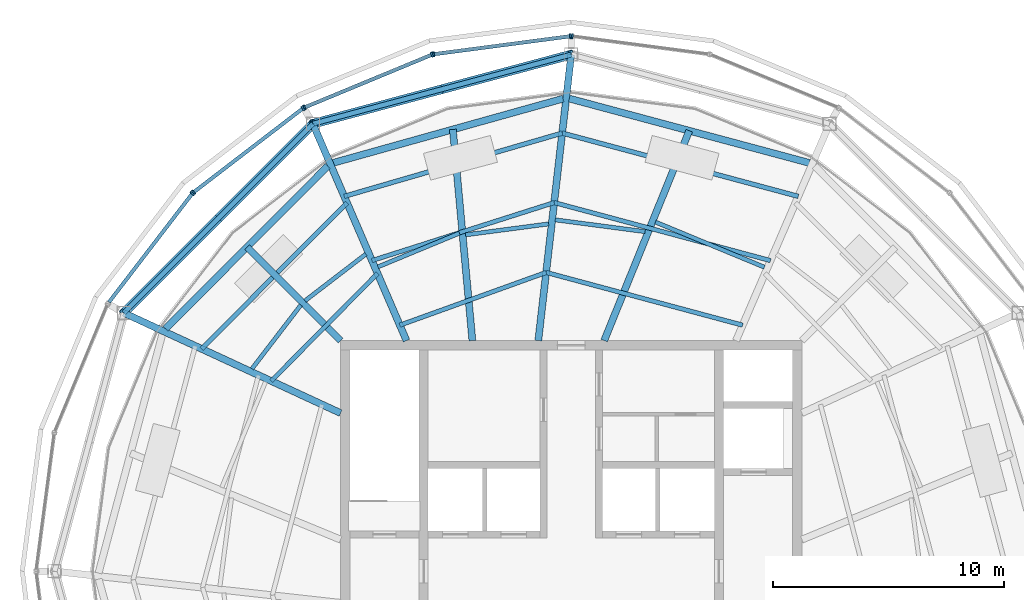
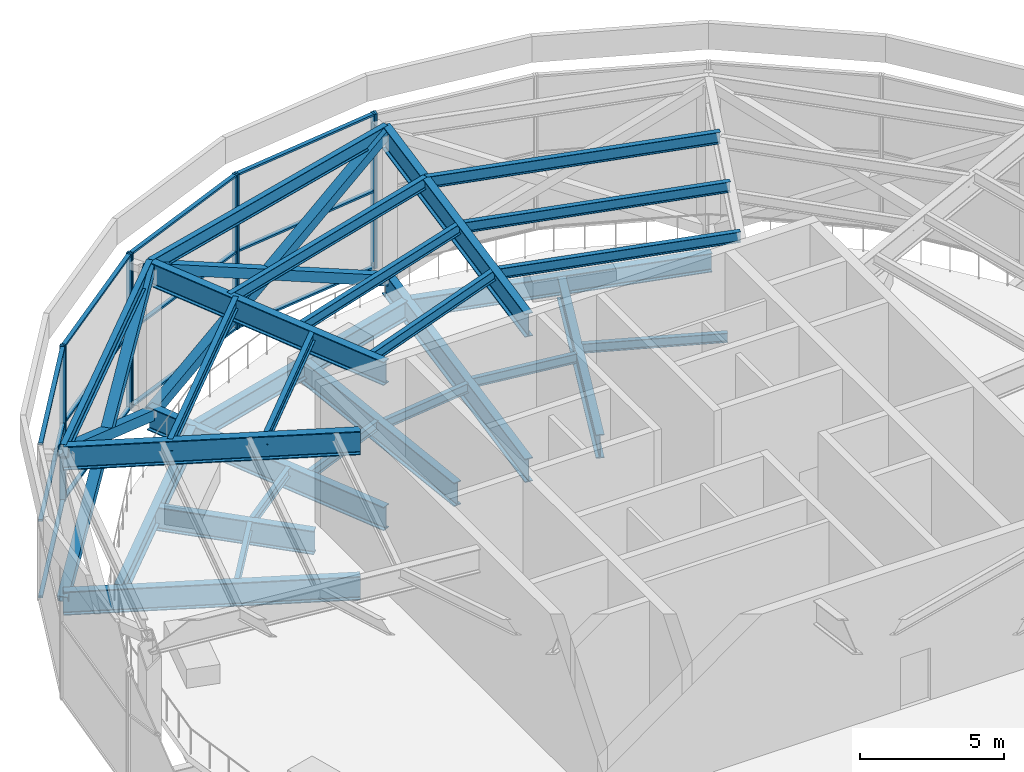
# One storey, part 6 of 13: 32 members, 20 beams, 5 elements without a shape of their own.
"""IFC4 building model written with IfcOpenShell, lengths in metres."""

from ifc_helpers import new_model, si_unit, direction, frame, origin, origin_2d, place, context, subcontext, project, spatial, rectangle, hollow_rectangle, i_section, extrude, material, material_profile, profile_set, type_object, element, aggregate, save


model = new_model("IFC4")

# Units and contexts
model_context = context("Model", 3, precision=1e-05, world=origin(), true_north=direction((0.0, 1.0)))
body_context = subcontext(model_context, "Body", "Model", "MODEL_VIEW")
ifc_project = project(units=[si_unit("LENGTHUNIT", "METRE"), si_unit("AREAUNIT", "SQUARE_METRE"), si_unit("VOLUMEUNIT", "CUBIC_METRE"), si_unit("PLANEANGLEUNIT", "RADIAN"), si_unit("MASSUNIT", "GRAM", prefix="KILO")], contexts=[model_context])

# Site, building, storey
site_placement = place(None, origin())
site = spatial("IfcSite", under=ifc_project, at=site_placement, CompositionType="ELEMENT")
building_placement = place(site_placement, origin())
building = spatial("IfcBuilding", under=site, at=building_placement, Name="Golbaran Civic Tower", CompositionType="ELEMENT")
storey_placement = place(building_placement, frame((0.0, 0.0, 284.0)))
storey = spatial("IfcBuildingStorey", under=building, at=storey_placement, Name="L69", CompositionType="ELEMENT", Elevation=284.0)

# Members
ifc_material_1 = material(Name="Steel S355", Category="steel")
ifc_material_profile_1 = material_profile(ifc_material_1, hollow_rectangle(XDim=0.39990234375, YDim=0.39990234375, WallThickness=0.030029296875, at=origin_2d()), Name="BOX 400x400x30")
ifc_profile_set_1 = profile_set([ifc_material_profile_1], Name="Steel S355")
member_type_1 = type_object("IfcMemberType", Name="CROWN FRAME BRACE BOX 400x400x30", PredefinedType="BRACE", material=ifc_profile_set_1)
for number, where, z_axis, x_axis, name in (
    (1, (0.0, 22.39990234375, -0.7099609375), (-0.849964200377, -0.227744086126, 0.475072088542), (0.258815721085, -0.965926716951, 0.0), "Crown frame brace 4A"),
    (2, (-11.199951171875, 19.39892578125, -0.7099609375), (0.849964200377, 0.227744086126, 0.475072088542), (-0.258815721085, 0.965926716951, 0.0), "Crown frame brace 4B"),
    (3, (-11.199951171875, 19.39892578125, -0.7099609375), (-0.622217242579, -0.622217242579, 0.475069895988), (0.707106781187, -0.707106781187, 0.0), "Crown frame brace 5A"),
    (4, (-19.39892578125, 11.199951171875, -0.7099609375), (0.622217242579, 0.622217242579, 0.475069895988), (-0.707106781187, 0.707106781187, 0.0), "Crown frame brace 5B"),
):
    element("IfcMember", number, at=place(storey_placement, frame(where, z_axis=z_axis, x_axis=x_axis)), inside=storey, type_object=member_type_1, Name=name, PredefinedType="BRACE", context=body_context, shape_type="SweptSolid", body=[
        extrude(hollow_rectangle(XDim=0.39990234375, YDim=0.39990234375, WallThickness=0.030029296875, at=origin_2d()), origin(), (0.0, 0.0, 1.0), 13.177001953125),
    ])
ifc_material_profile_2 = material_profile(ifc_material_1, i_section(OverallWidth=0.18994140625, OverallDepth=0.449951171875, WebThickness=0.009521484375, FlangeThickness=0.0146484375, FilletRadius=0.02099609375, at=origin_2d()), Name="IPE 450")
ifc_profile_set_2 = profile_set([ifc_material_profile_2], Name="Steel S355")
member_type_2 = type_object("IfcMemberType", Name="CROWN FRAME CANOPY PURLIN IPE 450", PredefinedType="PURLIN", material=ifc_profile_set_2)
member_1_placement = place(storey_placement, frame((7.4306640625, 10.6669921875, 5.625), z_axis=(-0.965791116382, 0.259321266999, 0.0), x_axis=(-0.259321266999, -0.965791116382, 0.0)))
element("IfcMember", 5, at=member_1_placement, inside=storey, type_object=member_type_2, Name="Canopy purlin 3-1", PredefinedType="PURLIN", context=body_context, shape_type="SweptSolid", body=[
    extrude(i_section(OverallWidth=0.18994140625, OverallDepth=0.449951171875, WebThickness=0.009521484375, FlangeThickness=0.0146484375, FilletRadius=0.02099609375, at=origin_2d()), origin(), (0.0, 0.0, 1.0), 8.820556640625),
])
member_2_placement = place(storey_placement, frame((8.639404296875, 13.467041015625, 5.625), z_axis=(-0.965852045337, 0.259094242541, 0.0), x_axis=(-0.259094242541, -0.965852045337, 0.0)))
element("IfcMember", 6, at=member_2_placement, inside=storey, type_object=member_type_2, Name="Canopy purlin 3-2", PredefinedType="PURLIN", context=body_context, shape_type="SweptSolid", body=[
    extrude(i_section(OverallWidth=0.18994140625, OverallDepth=0.449951171875, WebThickness=0.009521484375, FlangeThickness=0.0146484375, FilletRadius=0.02099609375, at=origin_2d()), origin(), (0.0, 0.0, 1.0), 9.710205078125),
])
member_3_placement = place(storey_placement, frame((-1.088134765625, 12.954345703125, 5.625), z_axis=(-0.940696160184, -0.33925025308, 0.0), x_axis=(0.33925025308, -0.940696160184, 0.0)))
element("IfcMember", 7, at=member_3_placement, inside=storey, type_object=member_type_2, Name="Canopy purlin 4-1", PredefinedType="PURLIN", context=body_context, shape_type="SweptSolid", body=[
    extrude(i_section(OverallWidth=0.18994140625, OverallDepth=0.449951171875, WebThickness=0.009521484375, FlangeThickness=0.0146484375, FilletRadius=0.02099609375, at=origin_2d()), origin(), (0.0, 0.0, 1.0), 6.742431640625),
])
member_4_placement = place(storey_placement, frame((-0.7392578125, 15.98291015625, 5.625), z_axis=(-0.952849565488, -0.303443084531, 0.0), x_axis=(0.303443084531, -0.952849565488, 0.0)))
element("IfcMember", 8, at=member_4_placement, inside=storey, type_object=member_type_2, Name="Canopy purlin 4-2", PredefinedType="PURLIN", context=body_context, shape_type="SweptSolid", body=[
    extrude(i_section(OverallWidth=0.18994140625, OverallDepth=0.449951171875, WebThickness=0.009521484375, FlangeThickness=0.0146484375, FilletRadius=0.02099609375, at=origin_2d()), origin(), (0.0, 0.0, 1.0), 8.291015625),
])
member_5_placement = place(storey_placement, frame((-8.3984375, 12.908447265625, 5.625), z_axis=(-0.702923047744, -0.711265905938, 0.0), x_axis=(0.711265905938, -0.702923047744, 0.0)))
element("IfcMember", 9, at=member_5_placement, inside=storey, type_object=member_type_2, Name="Canopy purlin 5-1", PredefinedType="PURLIN", context=body_context, shape_type="SweptSolid", body=[
    extrude(i_section(OverallWidth=0.18994140625, OverallDepth=0.449951171875, WebThickness=0.009521484375, FlangeThickness=0.0146484375, FilletRadius=0.02099609375, at=origin_2d()), origin(), (0.0, 0.0, 1.0), 6.554931640625),
])
ifc_material_profile_3 = material_profile(ifc_material_1, i_section(OverallWidth=0.199951171875, OverallDepth=0.5, WebThickness=0.01025390625, FlangeThickness=0.01611328125, FilletRadius=0.02099609375, at=origin_2d()), Name="IPE 500")
ifc_profile_set_3 = profile_set([ifc_material_profile_3], Name="Steel S355")
member_type_3 = type_object("IfcMemberType", Name="CROWN FRAME CANOPY PURLIN IPE 500", PredefinedType="PURLIN", material=ifc_profile_set_3)
member_6_placement = place(storey_placement, frame((9.841796875, 16.25244140625, 5.60009765625), z_axis=(-0.965896407704, 0.258928811808, 0.0), x_axis=(-0.258928811808, -0.965896407704, 0.0)))
element("IfcMember", 10, at=member_6_placement, inside=storey, type_object=member_type_3, Name="Canopy purlin 3-3", PredefinedType="PURLIN", context=body_context, shape_type="SweptSolid", body=[
    extrude(i_section(OverallWidth=0.199951171875, OverallDepth=0.5, WebThickness=0.01025390625, FlangeThickness=0.01611328125, FilletRadius=0.02099609375, at=origin_2d()), origin(), (0.0, 0.0, 1.0), 10.59521484375),
])
member_7_placement = place(storey_placement, frame((-0.39208984375, 18.995849609375, 5.60009765625), z_axis=(-0.96034772685, -0.278805027815, 0.0), x_axis=(0.278805027815, -0.96034772685, 0.0)))
element("IfcMember", 11, at=member_7_placement, inside=storey, type_object=member_type_3, Name="Canopy purlin 4-3", PredefinedType="PURLIN", context=body_context, shape_type="SweptSolid", body=[
    extrude(i_section(OverallWidth=0.199951171875, OverallDepth=0.5, WebThickness=0.01025390625, FlangeThickness=0.01611328125, FilletRadius=0.02099609375, at=origin_2d()), origin(), (0.0, 0.0, 1.0), 9.83984375),
])
member_8_placement = place(storey_placement, frame((-9.7216796875, 15.974365234375, 5.60009765625), z_axis=(-0.705301061713, -0.708907901173, 0.0), x_axis=(0.708907901173, -0.705301061713, 0.0)))
element("IfcMember", 12, at=member_8_placement, inside=storey, type_object=member_type_3, Name="Canopy purlin 5-2", PredefinedType="PURLIN", context=body_context, shape_type="SweptSolid", body=[
    extrude(i_section(OverallWidth=0.199951171875, OverallDepth=0.5, WebThickness=0.01025390625, FlangeThickness=0.01611328125, FilletRadius=0.02099609375, at=origin_2d()), origin(), (0.0, 0.0, 1.0), 8.934814453125),
])

# Beams
ifc_material_profile_4 = material_profile(ifc_material_1, i_section(OverallWidth=0.300048828125, OverallDepth=1.0, WebThickness=0.01904296875, FlangeThickness=0.035888671875, FilletRadius=0.030029296875, at=origin_2d()), Name="HEB 1000")
ifc_profile_set_4 = profile_set([ifc_material_profile_4], Name="Steel S355")
beam_type_1 = type_object("IfcBeamType", Name="CROWN FRAME CANOPY RADIAL BEAM HEB 1000", PredefinedType="BEAM", material=ifc_profile_set_4)
beam_1_placement = place(storey_placement, frame((-1.428466796875, 10.0, 5.35009765625), z_axis=(0.114442958897, 0.993429820953, 0.0), x_axis=(-0.993429820953, 0.114442958897, 0.0)))
element("IfcBeam", 13, at=beam_1_placement, inside=storey, type_object=beam_type_1, Name="Canopy radial beam 4", PredefinedType="BEAM", context=body_context, shape_type="SweptSolid", body=[
    extrude(i_section(OverallWidth=0.300048828125, OverallDepth=1.0, WebThickness=0.01904296875, FlangeThickness=0.035888671875, FilletRadius=0.030029296875, at=origin_2d()), origin(), (0.0, 0.0, 1.0), 12.48193359375),
])
beam_2_placement = place(storey_placement, frame((-7.142822265625, 10.0, 5.35009765625), z_axis=(-0.396312669682, 0.918115607018, 0.0), x_axis=(-0.918115607018, -0.396312669682, 0.0)))
element("IfcBeam", 14, at=beam_2_placement, inside=storey, type_object=beam_type_1, Name="Canopy radial beam 5", PredefinedType="BEAM", context=body_context, shape_type="SweptSolid", body=[
    extrude(i_section(OverallWidth=0.300048828125, OverallDepth=1.0, WebThickness=0.01904296875, FlangeThickness=0.035888671875, FilletRadius=0.030029296875, at=origin_2d()), origin(), (0.0, 0.0, 1.0), 10.2373046875),
])
beam_3_placement = place(storey_placement, frame((-10.0, 6.857177734375, 5.35009765625), z_axis=(-0.907782626383, 0.419440941298, 0.0), x_axis=(-0.419440941298, -0.907782626383, 0.0)))
element("IfcBeam", 15, at=beam_3_placement, inside=storey, type_object=beam_type_1, Name="Canopy radial beam 6", PredefinedType="BEAM", context=body_context, shape_type="SweptSolid", body=[
    extrude(i_section(OverallWidth=0.300048828125, OverallDepth=1.0, WebThickness=0.01904296875, FlangeThickness=0.035888671875, FilletRadius=0.030029296875, at=origin_2d()), origin(), (0.0, 0.0, 1.0), 10.353759765625),
])
ifc_material_profile_5 = material_profile(ifc_material_1, i_section(OverallWidth=0.219970703125, OverallDepth=0.60009765625, WebThickness=0.011962890625, FlangeThickness=0.01904296875, FilletRadius=0.02392578125, at=origin_2d()), Name="IPE 600")
ifc_profile_set_5 = profile_set([ifc_material_profile_5], Name="Steel S355")
beam_type_2 = type_object("IfcBeamType", Name="CROWN FRAME CANOPY RING BEAM IPE 600", PredefinedType="BEAM", material=ifc_profile_set_5)
beam_4_placement = place(storey_placement, frame((0.0, 22.39990234375, 5.550048828125), z_axis=(-0.965926716951, -0.258815721085, 0.0), x_axis=(0.258815721085, -0.965926716951, 0.0)))
element("IfcBeam", 16, at=beam_4_placement, inside=storey, type_object=beam_type_2, Name="Canopy ring beam 4", PredefinedType="BEAM", context=body_context, shape_type="SweptSolid", body=[
    extrude(i_section(OverallWidth=0.219970703125, OverallDepth=0.60009765625, WebThickness=0.011962890625, FlangeThickness=0.01904296875, FilletRadius=0.02392578125, at=origin_2d()), origin(), (0.0, 0.0, 1.0), 11.594970703125),
])
beam_5_placement = place(storey_placement, frame((-11.199951171875, 19.39892578125, 5.550048828125), z_axis=(-0.707106781187, -0.707106781187, 0.0), x_axis=(0.707106781187, -0.707106781187, 0.0)))
element("IfcBeam", 17, at=beam_5_placement, inside=storey, type_object=beam_type_2, Name="Canopy ring beam 5", PredefinedType="BEAM", context=body_context, shape_type="SweptSolid", body=[
    extrude(i_section(OverallWidth=0.219970703125, OverallDepth=0.60009765625, WebThickness=0.011962890625, FlangeThickness=0.01904296875, FilletRadius=0.02392578125, at=origin_2d()), origin(), (0.0, 0.0, 1.0), 11.59521484375),
])
ifc_material_profile_6 = material_profile(ifc_material_1, i_section(OverallWidth=0.300048828125, OverallDepth=0.800048828125, WebThickness=0.017578125, FlangeThickness=0.032958984375, FilletRadius=0.030029296875, at=origin_2d()), Name="HEB 800")
ifc_profile_set_6 = profile_set([ifc_material_profile_6], Name="Steel S355")
beam_type_3 = type_object("IfcBeamType", Name="EDGE BEAM HEB 800", PredefinedType="BEAM", material=ifc_profile_set_6)
beam_6_placement = place(storey_placement, frame((10.32568359375, 17.701416015625, -0.699951171875), z_axis=(-0.965909842094, 0.258878691562, 0.0), x_axis=(-0.258878691562, -0.965909842094, 0.0)))
element("IfcBeam", 18, at=beam_6_placement, inside=storey, type_object=beam_type_3, Name="Edge beam 60.00 L69", PredefinedType="BEAM", context=body_context, shape_type="SweptSolid", body=[
    extrude(i_section(OverallWidth=0.300048828125, OverallDepth=0.800048828125, WebThickness=0.017578125, FlangeThickness=0.032958984375, FilletRadius=0.030029296875, at=origin_2d()), origin(), (0.0, 0.0, 1.0), 10.7822265625),
])
beam_7_placement = place(storey_placement, frame((-0.35107421875, 20.489013671875, -0.699951171875), z_axis=(-0.963130557778, -0.269034437709, 0.0), x_axis=(0.269034437709, -0.963130557778, 0.0)))
element("IfcBeam", 19, at=beam_7_placement, inside=storey, type_object=beam_type_3, Name="Edge beam 90.00 L69", PredefinedType="BEAM", context=body_context, shape_type="SweptSolid", body=[
    extrude(i_section(OverallWidth=0.300048828125, OverallDepth=0.800048828125, WebThickness=0.017578125, FlangeThickness=0.032958984375, FilletRadius=0.030029296875, at=origin_2d()), origin(), (0.0, 0.0, 1.0), 10.35693359375),
])
beam_8_placement = place(storey_placement, frame((-10.551513671875, 17.568359375, -0.699951171875), z_axis=(-0.706273825307, -0.707938757017, 0.0), x_axis=(0.707938757017, -0.706273825307, 0.0)))
element("IfcBeam", 20, at=beam_8_placement, inside=storey, type_object=beam_type_3, Name="Edge beam 120.00 L69", PredefinedType="BEAM", context=body_context, shape_type="SweptSolid", body=[
    extrude(i_section(OverallWidth=0.300048828125, OverallDepth=0.800048828125, WebThickness=0.017578125, FlangeThickness=0.032958984375, FilletRadius=0.030029296875, at=origin_2d()), origin(), (0.0, 0.0, 1.0), 9.971435546875),
])
ifc_material_profile_7 = material_profile(ifc_material_1, i_section(OverallWidth=0.179931640625, OverallDepth=0.39990234375, WebThickness=0.008544921875, FlangeThickness=0.013427734375, FilletRadius=0.02099609375, at=origin_2d()), Name="IPE 400")
ifc_profile_set_7 = profile_set([ifc_material_profile_7], Name="Steel S355")
beam_type_4 = type_object("IfcBeamType", Name="FLOOR INFILL BEAM IPE 400", PredefinedType="BEAM", material=ifc_profile_set_7)
beam_9_placement = place(storey_placement, frame((8.37451171875, 13.181396484375, -0.5), z_axis=(-0.923888771461, 0.382661126806, 0.0), x_axis=(-0.382661126806, -0.923888771461, 0.0)))
element("IfcBeam", 21, at=beam_9_placement, inside=storey, type_object=beam_type_4, Name="Infill beam 67.50 L69", PredefinedType="BEAM", context=body_context, shape_type="SweptSolid", body=[
    extrude(i_section(OverallWidth=0.179931640625, OverallDepth=0.39990234375, WebThickness=0.008544921875, FlangeThickness=0.013427734375, FilletRadius=0.02099609375, at=origin_2d()), origin(), (0.0, 0.0, 1.0), 5.11181640625),
])
beam_10_placement = place(storey_placement, frame((3.202880859375, 14.721923828125, -0.5), z_axis=(-0.991442453905, 0.130544477456, 0.0), x_axis=(-0.130544477456, -0.991442453905, 0.0)))
element("IfcBeam", 22, at=beam_10_placement, inside=storey, type_object=beam_type_4, Name="Infill beam 82.50 L69", PredefinedType="BEAM", context=body_context, shape_type="SweptSolid", body=[
    extrude(i_section(OverallWidth=0.179931640625, OverallDepth=0.39990234375, WebThickness=0.008544921875, FlangeThickness=0.013427734375, FilletRadius=0.02099609375, at=origin_2d()), origin(), (0.0, 0.0, 1.0), 3.93115234375),
])
beam_11_placement = place(storey_placement, frame((-0.9765625, 15.05859375, -0.5), z_axis=(-0.99144194185, -0.130548366293, 0.0), x_axis=(0.130548366293, -0.99144194185, 0.0)))
element("IfcBeam", 23, at=beam_11_placement, inside=storey, type_object=beam_type_4, Name="Infill beam 97.50 L69", PredefinedType="BEAM", context=body_context, shape_type="SweptSolid", body=[
    extrude(i_section(OverallWidth=0.179931640625, OverallDepth=0.39990234375, WebThickness=0.008544921875, FlangeThickness=0.013427734375, FilletRadius=0.02099609375, at=origin_2d()), origin(), (0.0, 0.0, 1.0), 3.633544921875),
])
beam_12_placement = place(storey_placement, frame((-4.84716796875, 14.6591796875, -0.5), z_axis=(-0.92387756648, -0.38268817875, 0.0), x_axis=(0.38268817875, -0.92387756648, 0.0)))
element("IfcBeam", 24, at=beam_12_placement, inside=storey, type_object=beam_type_4, Name="Infill beam 112.50 L69", PredefinedType="BEAM", context=body_context, shape_type="SweptSolid", body=[
    extrude(i_section(OverallWidth=0.179931640625, OverallDepth=0.39990234375, WebThickness=0.008544921875, FlangeThickness=0.013427734375, FilletRadius=0.02099609375, at=origin_2d()), origin(), (0.0, 0.0, 1.0), 3.824462890625),
])
beam_13_placement = place(storey_placement, frame((-8.9033203125, 13.75, -0.5), z_axis=(-0.793371165585, -0.60873819793, 0.0), x_axis=(0.60873819793, -0.793371165585, 0.0)))
element("IfcBeam", 25, at=beam_13_placement, inside=storey, type_object=beam_type_4, Name="Infill beam 127.50 L69", PredefinedType="BEAM", context=body_context, shape_type="SweptSolid", body=[
    extrude(i_section(OverallWidth=0.179931640625, OverallDepth=0.39990234375, WebThickness=0.008544921875, FlangeThickness=0.013427734375, FilletRadius=0.02099609375, at=origin_2d()), origin(), (0.0, 0.0, 1.0), 3.32568359375),
])
beam_14_placement = place(storey_placement, frame((-11.723388671875, 11.53955078125, -0.5), z_axis=(-0.608734654071, -0.793373884705, 0.0), x_axis=(0.793373884705, -0.608734654071, 0.0)))
element("IfcBeam", 26, at=beam_14_placement, inside=storey, type_object=beam_type_4, Name="Infill beam 142.50 L69", PredefinedType="BEAM", context=body_context, shape_type="SweptSolid", body=[
    extrude(i_section(OverallWidth=0.179931640625, OverallDepth=0.39990234375, WebThickness=0.008544921875, FlangeThickness=0.013427734375, FilletRadius=0.02099609375, at=origin_2d()), origin(), (0.0, 0.0, 1.0), 3.48291015625),
])

# Curtain wall, member
ifc_material_2 = material(Name="Aluminium and glass", Category="aluminium")
curtain_wall_type = type_object("IfcCurtainWallType", Name="OUTER SKIN TERRACOTTA SCREEN", PredefinedType="NOTDEFINED", material=ifc_material_2)
curtain_wall_1_placement = place(storey_placement, origin())
curtain_wall_1 = element("IfcCurtainWall", 27, at=curtain_wall_1_placement, inside=storey, type_object=curtain_wall_type, Name="Crown screen L69 facet 6 CW3", ObjectType="OUTER SKIN", PredefinedType="USERDEFINED")
ifc_material_3 = material(Name="Aluminium", Category="aluminium")
ifc_material_profile_8 = material_profile(ifc_material_3, rectangle(XDim=0.219970703125, YDim=0.080078125, at=origin_2d()), Name="OUTER SKIN TERRACOTTA SCREEN MULLION")
ifc_profile_set_8 = profile_set([ifc_material_profile_8], Name="Aluminium")
member_type_4 = type_object("IfcMemberType", Name="OUTER SKIN TERRACOTTA SCREEN MULLION", PredefinedType="MULLION", material=ifc_profile_set_8)
member_9_placement = place(storey_placement, frame((0.03955078125, 23.19482421875, -0.7099609375), z_axis=(0.0, 0.0, 1.0), x_axis=(-0.13052619222, -0.991444861374, 0.0)))
member_9 = element("IfcMember", 28, at=member_9_placement, type_object=member_type_4, Name="CW3 mullion 2", PredefinedType="MULLION", context=body_context, shape_type="SweptSolid", body=[
    extrude(rectangle(XDim=0.219970703125, YDim=0.080078125, at=origin_2d()), origin(), (0.0, 0.0, 1.0), 6.56005859375),
])
aggregate(curtain_wall_1, [member_9])

# Curtain wall, members
curtain_wall_2_placement = place(storey_placement, origin())
curtain_wall_2 = element("IfcCurtainWall", 29, at=curtain_wall_2_placement, inside=storey, type_object=curtain_wall_type, Name="Crown screen L69 facet 7 CW3", ObjectType="OUTER SKIN", PredefinedType="USERDEFINED")
member_10_placement = place(storey_placement, frame((-0.03955078125, 23.19482421875, -0.7099609375), z_axis=(0.0, 0.0, 1.0), x_axis=(0.13052619222, -0.991444861374, 0.0)))
member_10 = element("IfcMember", 30, at=member_10_placement, type_object=member_type_4, Name="CW3 mullion 1", PredefinedType="MULLION", context=body_context, shape_type="SweptSolid", body=[
    extrude(rectangle(XDim=0.219970703125, YDim=0.080078125, at=origin_2d()), origin(), (0.0, 0.0, 1.0), 6.56005859375),
])
member_11_placement = place(storey_placement, frame((-5.96484375, 22.414794921875, -0.7099609375), z_axis=(0.0, 0.0, 1.0), x_axis=(0.13052619222, -0.991444861374, 0.0)))
member_11 = element("IfcMember", 31, at=member_11_placement, type_object=member_type_4, Name="CW3 mullion 2", PredefinedType="MULLION", context=body_context, shape_type="SweptSolid", body=[
    extrude(rectangle(XDim=0.219970703125, YDim=0.080078125, at=origin_2d()), origin(), (0.0, 0.0, 1.0), 6.56005859375),
])

curtain_wall_3_placement = place(storey_placement, origin())
curtain_wall_3 = element("IfcCurtainWall", 32, at=curtain_wall_3_placement, inside=storey, type_object=curtain_wall_type, Name="Crown screen L69 facet 8 CW3", ObjectType="OUTER SKIN", PredefinedType="USERDEFINED")
member_12_placement = place(storey_placement, frame((-6.04150390625, 22.394287109375, -0.7099609375), z_axis=(0.0, 0.0, 1.0), x_axis=(0.382683432333, -0.923879532525, 0.0)))
member_12 = element("IfcMember", 33, at=member_12_placement, type_object=member_type_4, Name="CW3 mullion 1", PredefinedType="MULLION", context=body_context, shape_type="SweptSolid", body=[
    extrude(rectangle(XDim=0.219970703125, YDim=0.080078125, at=origin_2d()), origin(), (0.0, 0.0, 1.0), 6.56005859375),
])
member_13_placement = place(storey_placement, frame((-11.56298828125, 20.107177734375, -0.7099609375), z_axis=(0.0, 0.0, 1.0), x_axis=(0.382683432333, -0.923879532525, 0.0)))
member_13 = element("IfcMember", 34, at=member_13_placement, type_object=member_type_4, Name="CW3 mullion 2", PredefinedType="MULLION", context=body_context, shape_type="SweptSolid", body=[
    extrude(rectangle(XDim=0.219970703125, YDim=0.080078125, at=origin_2d()), origin(), (0.0, 0.0, 1.0), 6.56005859375),
])

curtain_wall_4_placement = place(storey_placement, origin())
curtain_wall_4 = element("IfcCurtainWall", 35, at=curtain_wall_4_placement, inside=storey, type_object=curtain_wall_type, Name="Crown screen L69 facet 9 CW3", ObjectType="OUTER SKIN", PredefinedType="USERDEFINED")
member_14_placement = place(storey_placement, frame((-11.6318359375, 20.0673828125, -0.7099609375), z_axis=(0.0, 0.0, 1.0), x_axis=(0.608761428939, -0.793353340344, 0.0)))
member_14 = element("IfcMember", 36, at=member_14_placement, type_object=member_type_4, Name="CW3 mullion 1", PredefinedType="MULLION", context=body_context, shape_type="SweptSolid", body=[
    extrude(rectangle(XDim=0.219970703125, YDim=0.080078125, at=origin_2d()), origin(), (0.0, 0.0, 1.0), 6.56005859375),
])
member_15_placement = place(storey_placement, frame((-16.373046875, 16.42919921875, -0.7099609375), z_axis=(0.0, 0.0, 1.0), x_axis=(0.608761428939, -0.793353340344, 0.0)))
member_15 = element("IfcMember", 37, at=member_15_placement, type_object=member_type_4, Name="CW3 mullion 2", PredefinedType="MULLION", context=body_context, shape_type="SweptSolid", body=[
    extrude(rectangle(XDim=0.219970703125, YDim=0.080078125, at=origin_2d()), origin(), (0.0, 0.0, 1.0), 6.56005859375),
])

# Curtain wall, member
curtain_wall_5_placement = place(storey_placement, origin())
curtain_wall_5 = element("IfcCurtainWall", 38, at=curtain_wall_5_placement, inside=storey, type_object=curtain_wall_type, Name="Crown screen L69 facet 10 CW3", ObjectType="OUTER SKIN", PredefinedType="USERDEFINED")
member_16_placement = place(storey_placement, frame((-16.42919921875, 16.373046875, -0.7099609375), z_axis=(0.0, 0.0, 1.0), x_axis=(0.793353340344, -0.608761428939, 0.0)))
member_16 = element("IfcMember", 39, at=member_16_placement, type_object=member_type_4, Name="CW3 mullion 1", PredefinedType="MULLION", context=body_context, shape_type="SweptSolid", body=[
    extrude(rectangle(XDim=0.219970703125, YDim=0.080078125, at=origin_2d()), origin(), (0.0, 0.0, 1.0), 6.56005859375),
])

# Member
ifc_material_profile_9 = material_profile(ifc_material_3, rectangle(XDim=0.159912109375, YDim=0.080078125, at=origin_2d()), Name="OUTER SKIN TERRACOTTA SCREEN TRANSOM")
ifc_profile_set_9 = profile_set([ifc_material_profile_9], Name="Aluminium")
member_type_5 = type_object("IfcMemberType", Name="OUTER SKIN TERRACOTTA SCREEN TRANSOM", PredefinedType="USERDEFINED", material=ifc_profile_set_9)
member_17_placement = place(storey_placement, frame((-0.079345703125, 23.189453125, -0.669921875), z_axis=(-0.991447106617, -0.130509136774, 0.0), x_axis=(0.130509136774, -0.991447106617, 0.0)))
member_17 = element("IfcMember", 40, at=member_17_placement, type_object=member_type_5, Name="CW3 transom 1.1", ObjectType="TRANSOM", PredefinedType="USERDEFINED", context=body_context, shape_type="SweptSolid", body=[
    extrude(rectangle(XDim=0.159912109375, YDim=0.080078125, at=origin_2d()), origin(), (0.0, 0.0, 1.0), 5.896484375),
])

member_18_placement = place(storey_placement, frame((-0.079345703125, 23.189453125, 2.570068359375), z_axis=(-0.991447106617, -0.130509136774, 0.0), x_axis=(0.130509136774, -0.991447106617, 0.0)))
member_18 = element("IfcMember", 41, at=member_18_placement, type_object=member_type_5, Name="CW3 transom 1.2", ObjectType="TRANSOM", PredefinedType="USERDEFINED", context=body_context, shape_type="SweptSolid", body=[
    extrude(rectangle(XDim=0.159912109375, YDim=0.080078125, at=origin_2d()), origin(), (0.0, 0.0, 1.0), 5.896484375),
])

member_19_placement = place(storey_placement, frame((-0.079345703125, 23.189453125, 5.81005859375), z_axis=(-0.991447106617, -0.130509136774, 0.0), x_axis=(0.130509136774, -0.991447106617, 0.0)))
member_19 = element("IfcMember", 42, at=member_19_placement, type_object=member_type_5, Name="CW3 transom 1.3", ObjectType="TRANSOM", PredefinedType="USERDEFINED", context=body_context, shape_type="SweptSolid", body=[
    extrude(rectangle(XDim=0.159912109375, YDim=0.080078125, at=origin_2d()), origin(), (0.0, 0.0, 1.0), 5.896484375),
])

aggregate(curtain_wall_2, [member_10, member_11, member_17, member_18, member_19])

member_20_placement = place(storey_placement, frame((-6.07861328125, 22.37890625, -0.669921875), z_axis=(-0.923869976214, -0.382706502494, 0.0), x_axis=(0.382706502494, -0.923869976214, 0.0)))
member_20 = element("IfcMember", 43, at=member_20_placement, type_object=member_type_5, Name="CW3 transom 1.1", ObjectType="TRANSOM", PredefinedType="USERDEFINED", context=body_context, shape_type="SweptSolid", body=[
    extrude(rectangle(XDim=0.159912109375, YDim=0.080078125, at=origin_2d()), origin(), (0.0, 0.0, 1.0), 5.896484375),
])

member_21_placement = place(storey_placement, frame((-6.07861328125, 22.37890625, 2.570068359375), z_axis=(-0.923869976214, -0.382706502494, 0.0), x_axis=(0.382706502494, -0.923869976214, 0.0)))
member_21 = element("IfcMember", 44, at=member_21_placement, type_object=member_type_5, Name="CW3 transom 1.2", ObjectType="TRANSOM", PredefinedType="USERDEFINED", context=body_context, shape_type="SweptSolid", body=[
    extrude(rectangle(XDim=0.159912109375, YDim=0.080078125, at=origin_2d()), origin(), (0.0, 0.0, 1.0), 5.896484375),
])

member_22_placement = place(storey_placement, frame((-6.07861328125, 22.37890625, 5.81005859375), z_axis=(-0.923869976214, -0.382706502494, 0.0), x_axis=(0.382706502494, -0.923869976214, 0.0)))
member_22 = element("IfcMember", 45, at=member_22_placement, type_object=member_type_5, Name="CW3 transom 1.3", ObjectType="TRANSOM", PredefinedType="USERDEFINED", context=body_context, shape_type="SweptSolid", body=[
    extrude(rectangle(XDim=0.159912109375, YDim=0.080078125, at=origin_2d()), origin(), (0.0, 0.0, 1.0), 5.896484375),
])

aggregate(curtain_wall_3, [member_12, member_13, member_20, member_21, member_22])

member_23_placement = place(storey_placement, frame((-11.66357421875, 20.04296875, -0.669921875), z_axis=(-0.793353042116, -0.608761817598, 0.0), x_axis=(0.608761817598, -0.793353042116, 0.0)))
member_23 = element("IfcMember", 46, at=member_23_placement, type_object=member_type_5, Name="CW3 transom 1.1", ObjectType="TRANSOM", PredefinedType="USERDEFINED", context=body_context, shape_type="SweptSolid", body=[
    extrude(rectangle(XDim=0.159912109375, YDim=0.080078125, at=origin_2d()), origin(), (0.0, 0.0, 1.0), 5.896240234375),
])

member_24_placement = place(storey_placement, frame((-11.66357421875, 20.04296875, 2.570068359375), z_axis=(-0.793353042116, -0.608761817598, 0.0), x_axis=(0.608761817598, -0.793353042116, 0.0)))
member_24 = element("IfcMember", 47, at=member_24_placement, type_object=member_type_5, Name="CW3 transom 1.2", ObjectType="TRANSOM", PredefinedType="USERDEFINED", context=body_context, shape_type="SweptSolid", body=[
    extrude(rectangle(XDim=0.159912109375, YDim=0.080078125, at=origin_2d()), origin(), (0.0, 0.0, 1.0), 5.896240234375),
])

member_25_placement = place(storey_placement, frame((-11.66357421875, 20.04296875, 5.81005859375), z_axis=(-0.793353042116, -0.608761817598, 0.0), x_axis=(0.608761817598, -0.793353042116, 0.0)))
member_25 = element("IfcMember", 48, at=member_25_placement, type_object=member_type_5, Name="CW3 transom 1.3", ObjectType="TRANSOM", PredefinedType="USERDEFINED", context=body_context, shape_type="SweptSolid", body=[
    extrude(rectangle(XDim=0.159912109375, YDim=0.080078125, at=origin_2d()), origin(), (0.0, 0.0, 1.0), 5.896240234375),
])

aggregate(curtain_wall_4, [member_14, member_15, member_23, member_24, member_25])

member_26_placement = place(storey_placement, frame((-16.45361328125, 16.34130859375, -0.669921875), z_axis=(-0.608761817598, -0.793353042116, 0.0), x_axis=(0.793353042116, -0.608761817598, 0.0)))
member_26 = element("IfcMember", 49, at=member_26_placement, type_object=member_type_5, Name="CW3 transom 1.1", ObjectType="TRANSOM", PredefinedType="USERDEFINED", context=body_context, shape_type="SweptSolid", body=[
    extrude(rectangle(XDim=0.159912109375, YDim=0.080078125, at=origin_2d()), origin(), (0.0, 0.0, 1.0), 5.896240234375),
])

member_27_placement = place(storey_placement, frame((-16.45361328125, 16.34130859375, 2.570068359375), z_axis=(-0.608761817598, -0.793353042116, 0.0), x_axis=(0.793353042116, -0.608761817598, 0.0)))
member_27 = element("IfcMember", 50, at=member_27_placement, type_object=member_type_5, Name="CW3 transom 1.2", ObjectType="TRANSOM", PredefinedType="USERDEFINED", context=body_context, shape_type="SweptSolid", body=[
    extrude(rectangle(XDim=0.159912109375, YDim=0.080078125, at=origin_2d()), origin(), (0.0, 0.0, 1.0), 5.896240234375),
])

member_28_placement = place(storey_placement, frame((-16.45361328125, 16.34130859375, 5.81005859375), z_axis=(-0.608761817598, -0.793353042116, 0.0), x_axis=(0.793353042116, -0.608761817598, 0.0)))
member_28 = element("IfcMember", 51, at=member_28_placement, type_object=member_type_5, Name="CW3 transom 1.3", ObjectType="TRANSOM", PredefinedType="USERDEFINED", context=body_context, shape_type="SweptSolid", body=[
    extrude(rectangle(XDim=0.159912109375, YDim=0.080078125, at=origin_2d()), origin(), (0.0, 0.0, 1.0), 5.896240234375),
])

aggregate(curtain_wall_5, [member_16, member_26, member_27, member_28])

# Beams
ifc_material_profile_10 = material_profile(ifc_material_1, i_section(OverallWidth=0.300048828125, OverallDepth=1.0, WebThickness=0.01904296875, FlangeThickness=0.035888671875, FilletRadius=0.030029296875, at=origin_2d()), Name="HEB 1000")
ifc_profile_set_10 = profile_set([ifc_material_profile_10], Name="Steel S355")
beam_type_5 = type_object("IfcBeamType", Name="RADIAL FLOOR BEAM HEB 1000", PredefinedType="BEAM", material=ifc_profile_set_10)
beam_15_placement = place(storey_placement, frame((-1.428466796875, 10.0, -0.800048828125), z_axis=(0.114442958897, 0.993429820953, 0.0), x_axis=(-0.993429820953, 0.114442958897, 0.0)))
element("IfcBeam", 52, at=beam_15_placement, inside=storey, type_object=beam_type_5, Name="Radial beam 90.00 L69", PredefinedType="BEAM", context=body_context, shape_type="SweptSolid", body=[
    extrude(i_section(OverallWidth=0.300048828125, OverallDepth=1.0, WebThickness=0.01904296875, FlangeThickness=0.035888671875, FilletRadius=0.030029296875, at=origin_2d()), origin(), (0.0, 0.0, 1.0), 12.48193359375),
])
beam_16_placement = place(storey_placement, frame((-7.142822265625, 10.0, -0.800048828125), z_axis=(-0.396312669682, 0.918115607018, 0.0), x_axis=(-0.918115607018, -0.396312669682, 0.0)))
element("IfcBeam", 53, at=beam_16_placement, inside=storey, type_object=beam_type_5, Name="Radial beam 120.00 L69", PredefinedType="BEAM", context=body_context, shape_type="SweptSolid", body=[
    extrude(i_section(OverallWidth=0.300048828125, OverallDepth=1.0, WebThickness=0.01904296875, FlangeThickness=0.035888671875, FilletRadius=0.030029296875, at=origin_2d()), origin(), (0.0, 0.0, 1.0), 10.2373046875),
])
beam_17_placement = place(storey_placement, frame((-10.0, 6.857177734375, -0.800048828125), z_axis=(-0.907782626383, 0.419440941298, 0.0), x_axis=(-0.419440941298, -0.907782626383, 0.0)))
element("IfcBeam", 54, at=beam_17_placement, inside=storey, type_object=beam_type_5, Name="Radial beam 150.00 L69", PredefinedType="BEAM", context=body_context, shape_type="SweptSolid", body=[
    extrude(i_section(OverallWidth=0.300048828125, OverallDepth=1.0, WebThickness=0.01904296875, FlangeThickness=0.035888671875, FilletRadius=0.030029296875, at=origin_2d()), origin(), (0.0, 0.0, 1.0), 10.353759765625),
])
ifc_material_profile_11 = material_profile(ifc_material_1, i_section(OverallWidth=0.300048828125, OverallDepth=1.0, WebThickness=0.01904296875, FlangeThickness=0.035888671875, FilletRadius=0.030029296875, at=origin_2d()), Name="HEB 1000")
ifc_profile_set_11 = profile_set([ifc_material_profile_11], Name="Steel S355")
beam_type_6 = type_object("IfcBeamType", Name="SECONDARY FLOOR BEAM HEB 1000", PredefinedType="BEAM", material=ifc_profile_set_11)
beam_18_placement = place(storey_placement, frame((1.428466796875, 10.0, -0.800048828125), z_axis=(0.375755908463, 0.92671867212, 0.0), x_axis=(-0.92671867212, 0.375755908463, 0.0)))
element("IfcBeam", 55, at=beam_18_placement, inside=storey, type_object=beam_type_6, Name="Secondary beam 75.00 L69", PredefinedType="BEAM", context=body_context, shape_type="SweptSolid", body=[
    extrude(i_section(OverallWidth=0.300048828125, OverallDepth=1.0, WebThickness=0.01904296875, FlangeThickness=0.035888671875, FilletRadius=0.030029296875, at=origin_2d()), origin(), (0.0, 0.0, 1.0), 9.81689453125),
])
beam_19_placement = place(storey_placement, frame((-4.28564453125, 10.0, -0.800048828125), z_axis=(-0.092077762715, 0.995751819287, 0.0), x_axis=(-0.995751819287, -0.092077762715, 0.0)))
element("IfcBeam", 56, at=beam_19_placement, inside=storey, type_object=beam_type_6, Name="Secondary beam 105.00 L69", PredefinedType="BEAM", context=body_context, shape_type="SweptSolid", body=[
    extrude(i_section(OverallWidth=0.300048828125, OverallDepth=1.0, WebThickness=0.01904296875, FlangeThickness=0.035888671875, FilletRadius=0.030029296875, at=origin_2d()), origin(), (0.0, 0.0, 1.0), 9.192626953125),
])
beam_20_placement = place(storey_placement, frame((-10.0, 10.0, -0.800048828125), z_axis=(-0.707106781187, 0.707106781187, 0.0), x_axis=(-0.707106781187, -0.707106781187, 0.0)))
element("IfcBeam", 57, at=beam_20_placement, inside=storey, type_object=beam_type_6, Name="Secondary beam 135.00 L69", PredefinedType="BEAM", context=body_context, shape_type="SweptSolid", body=[
    extrude(i_section(OverallWidth=0.300048828125, OverallDepth=1.0, WebThickness=0.01904296875, FlangeThickness=0.035888671875, FilletRadius=0.030029296875, at=origin_2d()), origin(), (0.0, 0.0, 1.0), 5.735595703125),
])

save(model, "model.ifc")
